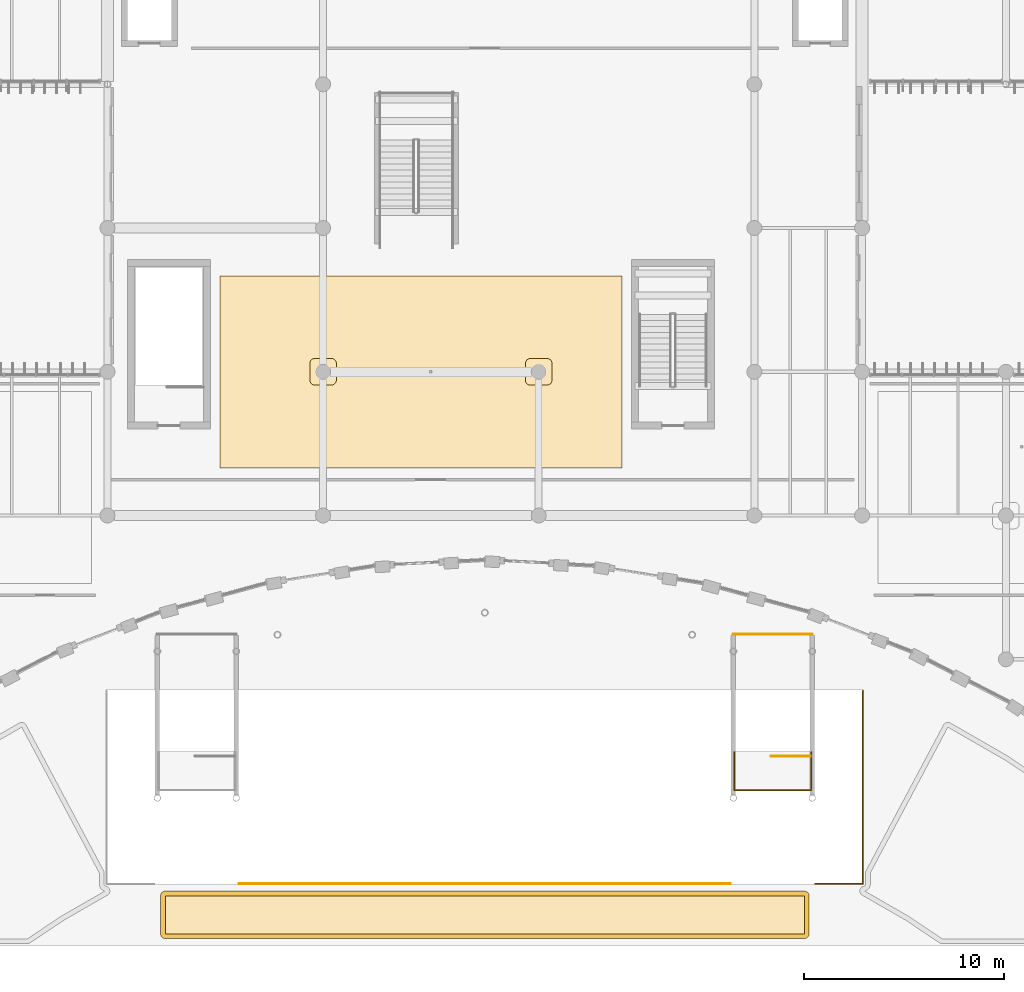
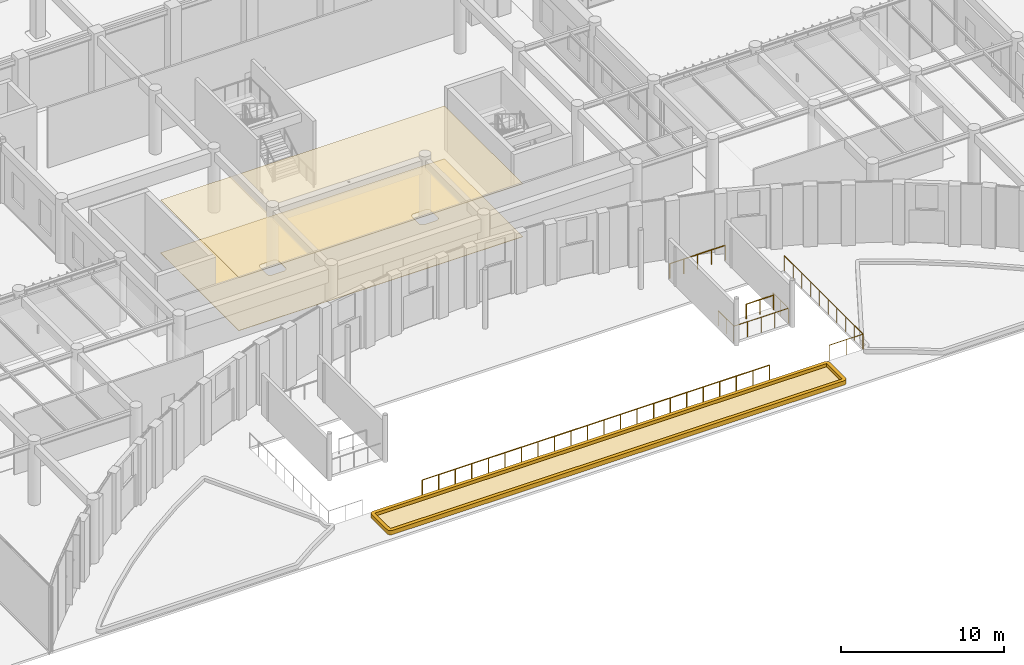
# One storey, part 109 of 122: 5 railings, 4 coverings.
"""IFC4 building model written with IfcOpenShell, lengths in metres."""

from ifc_helpers import new_model, si_unit, direction, frame, origin, origin_2d, place, context, subcontext, project, spatial, polyline, circle, outline, extrude, material, layer, layer_set, material_profile, profile_set, type_object, element, save


model = new_model("IFC4")

# Units and contexts
model_context = context("Model", 3, precision=1e-05, world=origin(), true_north=direction((0.0, 1.0)))
body_context = subcontext(model_context, "Body", "Model", "MODEL_VIEW")
ifc_project = project(units=[si_unit("LENGTHUNIT", "METRE"), si_unit("AREAUNIT", "SQUARE_METRE"), si_unit("VOLUMEUNIT", "CUBIC_METRE"), si_unit("PLANEANGLEUNIT", "RADIAN"), si_unit("MASSUNIT", "GRAM", prefix="KILO")], contexts=[model_context])

# Site, building, storey
site_placement = place(None, origin())
site = spatial("IfcSite", under=ifc_project, at=site_placement, CompositionType="ELEMENT")
building_placement = place(site_placement, origin())
building = spatial("IfcBuilding", under=site, at=building_placement, Name="Tazoul Stagehouse", CompositionType="ELEMENT")
storey_placement = place(building_placement, origin())
storey = spatial("IfcBuildingStorey", under=building, at=storey_placement, Name="L00", CompositionType="ELEMENT", Elevation=0.0)

# Railings
ifc_material_1 = material(Name="Brushed Stainless Steel 316L", Category="steel")
ifc_material_profile_1 = material_profile(ifc_material_1, circle(Radius=0.02392578125, at=origin_2d()), Name="SS RAIL D48")
ifc_profile_set_1 = profile_set([ifc_material_profile_1], Name="Brushed Stainless Steel 316L")
railing_type_1 = type_object("IfcRailingType", Name="Architectural Guardrail H1120", PredefinedType="GUARDRAIL", material=ifc_profile_set_1)
railing_1_placement = place(storey_placement, frame((92.800048828125, 10.949951171875, 0.0)))
element("IfcRailing", 1, at=railing_1_placement, inside=storey, type_object=railing_type_1, Name="L00 ST-AMP-E top well guard 1", PredefinedType="GUARDRAIL", context=body_context, shape_type="SweptSolid", body=[
    extrude(circle(Radius=0.02392578125, at=origin_2d()), frame((0.0, 0.0, 1.09619140625), z_axis=(-1.0, 0.0, 0.0), x_axis=(0.0, -1.0, 0.0)), (0.0, 0.0, 1.0), 1.949951171875),
    extrude(circle(Radius=0.02099609375, at=origin_2d()), origin(), (0.0, 0.0, 1.0), 1.072021484375),
    extrude(circle(Radius=0.02099609375, at=origin_2d()), frame((-0.97509765625, 0.0, 0.0)), (0.0, 0.0, 1.0), 1.072021484375),
    extrude(circle(Radius=0.02099609375, at=origin_2d()), frame((-1.949951171875, 0.0, 0.0)), (0.0, 0.0, 1.0), 1.072021484375),
])
railing_2_placement = place(storey_placement, frame((92.89990234375, 17.050048828125, 0.0)))
element("IfcRailing", 2, at=railing_2_placement, inside=storey, type_object=railing_type_1, Name="L00 ST-AMP-E top well guard 2", PredefinedType="GUARDRAIL", context=body_context, shape_type="SweptSolid", body=[
    extrude(circle(Radius=0.02392578125, at=origin_2d()), frame((0.0, 0.0, 1.09619140625), z_axis=(-1.0, 0.0, 0.0), x_axis=(0.0, -1.0, 0.0)), (0.0, 0.0, 1.0), 3.949951171875),
    extrude(circle(Radius=0.02099609375, at=origin_2d()), origin(), (0.0, 0.0, 1.0), 1.072021484375),
    extrude(circle(Radius=0.02099609375, at=origin_2d()), frame((-0.987548828125, 0.0, 0.0)), (0.0, 0.0, 1.0), 1.072021484375),
    extrude(circle(Radius=0.02099609375, at=origin_2d()), frame((-1.97509765625, 0.0, 0.0)), (0.0, 0.0, 1.0), 1.072021484375),
    extrude(circle(Radius=0.02099609375, at=origin_2d()), frame((-2.96240234375, 0.0, 0.0)), (0.0, 0.0, 1.0), 1.072021484375),
    extrude(circle(Radius=0.02099609375, at=origin_2d()), frame((-3.949951171875, 0.0, 0.0)), (0.0, 0.0, 1.0), 1.072021484375),
])

# Coverings
ifc_material_2 = material(Name="Gypsum Acoustic Partition", Category="gypsum")
ifc_layer_1 = layer(ifc_material_2, 0.034912109375, Name="Gypsum Acoustic Partition")
ifc_layer_set_1 = layer_set([ifc_layer_1], Name="Gypsum Acoustic Partition")
covering_type_1 = type_object("IfcCoveringType", Name="Gypsum Acoustic Foyer Suspended Ceiling 35", PredefinedType="CEILING", material=ifc_layer_set_1)
covering_1_placement = place(storey_placement, frame((0.0, 0.0, 3.955078125)))
element("IfcCovering", 3, at=covering_1_placement, inside=storey, type_object=covering_type_1, Name="L00 L00 Crescent Foyer Circulation Suspended Ceiling", PredefinedType="CEILING", context=body_context, shape_type="SweptSolid", body=[
    extrude(outline(polyline([(83.360107421875, 35.010009765625), (83.360107421875, 25.389892578125), (63.239990234375, 25.389892578125), (63.239990234375, 35.010009765625), (83.360107421875, 35.010009765625)])), origin(), (0.0, 0.0, 1.0), 0.034912109375),
])
ifc_material_3 = material(Name="Honed Rabat Calcarenite Stone", Category="masonry")
ifc_layer_2 = layer(ifc_material_3, 0.320068359375, Name="Honed Rabat Calcarenite Stone")
ifc_layer_set_2 = layer_set([ifc_layer_2], Name="Honed Rabat Calcarenite Stone")
covering_type_2 = type_object("IfcCoveringType", Name="Honed Limestone Lawn Planter Curb 320", PredefinedType="MOLDING", material=ifc_layer_set_2)
covering_2_placement = place(storey_placement, origin())
element("IfcCovering", 4, at=covering_2_placement, inside=storey, type_object=covering_type_2, Name="L00 Crescent South Lawn Stone Curb", PredefinedType="MOLDING", context=body_context, shape_type="SweptSolid", body=[
    extrude(outline(polyline([(60.5, 1.81005859375), (60.4765625, 1.811279296875), (60.453125, 1.814697265625), (60.430419921875, 1.8203125), (60.408203125, 1.828369140625), (60.386962890625, 1.83837890625), (60.36669921875, 1.850341796875), (60.34765625, 1.864501953125), (60.330322265625, 1.88037109375), (60.314453125, 1.897705078125), (60.30029296875, 1.916748046875), (60.288330078125, 1.93701171875), (60.2783203125, 1.958251953125), (60.270263671875, 1.980224609375), (60.2646484375, 2.003173828125), (60.26123046875, 2.026611328125), (60.260009765625, 2.050048828125), (60.260009765625, 3.949951171875), (60.26123046875, 3.973388671875), (60.2646484375, 3.996826171875), (60.270263671875, 4.019775390625), (60.2783203125, 4.041748046875), (60.288330078125, 4.06298828125), (60.30029296875, 4.083251953125), (60.314453125, 4.102294921875), (60.330322265625, 4.11962890625), (60.34765625, 4.135498046875), (60.36669921875, 4.149658203125), (60.386962890625, 4.16162109375), (60.408203125, 4.171630859375), (60.430419921875, 4.1796875), (60.453125, 4.185302734375), (60.4765625, 4.188720703125), (60.5, 4.18994140625), (92.5, 4.18994140625), (92.5234375, 4.188720703125), (92.546875, 4.185302734375), (92.569580078125, 4.1796875), (92.591796875, 4.171630859375), (92.613037109375, 4.16162109375), (92.63330078125, 4.149658203125), (92.65234375, 4.135498046875), (92.669677734375, 4.11962890625), (92.685546875, 4.102294921875), (92.69970703125, 4.083251953125), (92.711669921875, 4.06298828125), (92.7216796875, 4.041748046875), (92.729736328125, 4.019775390625), (92.7353515625, 3.996826171875), (92.73876953125, 3.973388671875), (92.739990234375, 3.949951171875), (92.739990234375, 2.050048828125), (92.73876953125, 2.026611328125), (92.7353515625, 2.003173828125), (92.729736328125, 1.980224609375), (92.7216796875, 1.958251953125), (92.711669921875, 1.93701171875), (92.69970703125, 1.916748046875), (92.685546875, 1.897705078125), (92.669677734375, 1.88037109375), (92.65234375, 1.864501953125), (92.63330078125, 1.850341796875), (92.613037109375, 1.83837890625), (92.591796875, 1.828369140625), (92.569580078125, 1.8203125), (92.546875, 1.814697265625), (92.5234375, 1.811279296875), (92.5, 1.81005859375), (60.5, 1.81005859375)]), holes=[polyline([(92.5, 3.949951171875), (60.5, 3.949951171875), (60.5, 2.050048828125), (92.5, 2.050048828125), (92.5, 3.949951171875)])]), origin(), (0.0, 0.0, 1.0), 0.320068359375),
])
ifc_layer_3 = layer(ifc_material_3, 0.030029296875, Name="Honed Rabat Calcarenite Stone")
ifc_layer_set_3 = layer_set([ifc_layer_3], Name="Honed Rabat Calcarenite Stone")
covering_type_3 = type_object("IfcCoveringType", Name="Honed Rabat Limestone Foyer Flooring 30", PredefinedType="FLOORING", material=ifc_layer_set_3)
covering_3_placement = place(storey_placement, origin())
element("IfcCovering", 5, at=covering_3_placement, inside=storey, type_object=covering_type_3, Name="L00 L00 Crescent Foyer Circulation Flooring", PredefinedType="FLOORING", context=body_context, shape_type="SweptSolid", body=[
    extrude(outline(polyline([(83.360107421875, 35.010009765625), (83.360107421875, 25.389892578125), (63.239990234375, 25.389892578125), (63.239990234375, 35.010009765625), (83.360107421875, 35.010009765625)]), holes=[polyline([(79.86376953125, 30.639404296875), (79.860107421875, 30.663818359375), (79.854248046875, 30.6875), (79.845947265625, 30.710693359375), (79.83544921875, 30.73291015625), (79.822998046875, 30.75390625), (79.808349609375, 30.773681640625), (79.791748046875, 30.791748046875), (79.773681640625, 30.808349609375), (79.75390625, 30.822998046875), (79.73291015625, 30.83544921875), (79.710693359375, 30.845947265625), (79.6875, 30.854248046875), (79.663818359375, 30.860107421875), (79.639404296875, 30.86376953125), (79.614990234375, 30.864990234375), (78.784912109375, 30.864990234375), (78.760498046875, 30.86376953125), (78.736083984375, 30.860107421875), (78.71240234375, 30.854248046875), (78.689208984375, 30.845947265625), (78.667236328125, 30.83544921875), (78.64599609375, 30.822998046875), (78.62646484375, 30.808349609375), (78.608154296875, 30.791748046875), (78.591796875, 30.773681640625), (78.5771484375, 30.75390625), (78.564453125, 30.73291015625), (78.553955078125, 30.710693359375), (78.5458984375, 30.6875), (78.539794921875, 30.663818359375), (78.5361328125, 30.639404296875), (78.534912109375, 30.614990234375), (78.534912109375, 29.784912109375), (78.5361328125, 29.760498046875), (78.539794921875, 29.736083984375), (78.5458984375, 29.71240234375), (78.553955078125, 29.689208984375), (78.564453125, 29.667236328125), (78.5771484375, 29.64599609375), (78.591796875, 29.62646484375), (78.608154296875, 29.608154296875), (78.62646484375, 29.591796875), (78.64599609375, 29.5771484375), (78.667236328125, 29.564453125), (78.689208984375, 29.553955078125), (78.71240234375, 29.5458984375), (78.736083984375, 29.539794921875), (78.760498046875, 29.5361328125), (78.784912109375, 29.534912109375), (79.614990234375, 29.534912109375), (79.639404296875, 29.5361328125), (79.663818359375, 29.539794921875), (79.6875, 29.5458984375), (79.710693359375, 29.553955078125), (79.73291015625, 29.564453125), (79.75390625, 29.5771484375), (79.773681640625, 29.591796875), (79.791748046875, 29.608154296875), (79.808349609375, 29.62646484375), (79.822998046875, 29.64599609375), (79.83544921875, 29.667236328125), (79.845947265625, 29.689208984375), (79.854248046875, 29.71240234375), (79.860107421875, 29.736083984375), (79.86376953125, 29.760498046875), (79.864990234375, 29.784912109375), (79.864990234375, 30.614990234375), (79.86376953125, 30.639404296875)]), polyline([(69.063720703125, 30.639404296875), (69.060302734375, 30.663818359375), (69.05419921875, 30.6875), (69.0458984375, 30.710693359375), (69.035400390625, 30.73291015625), (69.02294921875, 30.75390625), (69.00830078125, 30.773681640625), (68.99169921875, 30.791748046875), (68.9736328125, 30.808349609375), (68.953857421875, 30.822998046875), (68.932861328125, 30.83544921875), (68.91064453125, 30.845947265625), (68.8876953125, 30.854248046875), (68.86376953125, 30.860107421875), (68.839599609375, 30.86376953125), (68.81494140625, 30.864990234375), (67.985107421875, 30.864990234375), (67.96044921875, 30.86376953125), (67.936279296875, 30.860107421875), (67.912353515625, 30.854248046875), (67.889404296875, 30.845947265625), (67.8671875, 30.83544921875), (67.84619140625, 30.822998046875), (67.826416015625, 30.808349609375), (67.80810546875, 30.791748046875), (67.791748046875, 30.773681640625), (67.777099609375, 30.75390625), (67.764404296875, 30.73291015625), (67.75390625, 30.710693359375), (67.745849609375, 30.6875), (67.73974609375, 30.663818359375), (67.736083984375, 30.639404296875), (67.735107421875, 30.614990234375), (67.735107421875, 29.784912109375), (67.736083984375, 29.760498046875), (67.73974609375, 29.736083984375), (67.745849609375, 29.71240234375), (67.75390625, 29.689208984375), (67.764404296875, 29.667236328125), (67.777099609375, 29.64599609375), (67.791748046875, 29.62646484375), (67.80810546875, 29.608154296875), (67.826416015625, 29.591796875), (67.84619140625, 29.5771484375), (67.8671875, 29.564453125), (67.889404296875, 29.553955078125), (67.912353515625, 29.5458984375), (67.936279296875, 29.539794921875), (67.96044921875, 29.5361328125), (67.985107421875, 29.534912109375), (68.81494140625, 29.534912109375), (68.839599609375, 29.5361328125), (68.86376953125, 29.539794921875), (68.8876953125, 29.5458984375), (68.91064453125, 29.553955078125), (68.932861328125, 29.564453125), (68.953857421875, 29.5771484375), (68.9736328125, 29.591796875), (68.99169921875, 29.608154296875), (69.00830078125, 29.62646484375), (69.02294921875, 29.64599609375), (69.035400390625, 29.667236328125), (69.0458984375, 29.689208984375), (69.05419921875, 29.71240234375), (69.060302734375, 29.736083984375), (69.063720703125, 29.760498046875), (69.06494140625, 29.784912109375), (69.06494140625, 30.614990234375), (69.063720703125, 30.639404296875)])]), origin(), (0.0, 0.0, 1.0), 0.030029296875),
])
ifc_material_4 = material(Name="Vegetated Acoustic Extensive Green-Roof Substrate", Category="earth")
ifc_layer_4 = layer(ifc_material_4, 0.080078125, Name="Vegetated Acoustic Extensive Green-Roof Substrate")
ifc_layer_set_4 = layer_set([ifc_layer_4], Name="Vegetated Acoustic Extensive Green-Roof Substrate")
covering_type_4 = type_object("IfcCoveringType", Name="Irrigated Fescue Forecourt Lawn Turf 80", PredefinedType="FLOORING", material=ifc_layer_set_4)
covering_4_placement = place(storey_placement, origin())
element("IfcCovering", 6, at=covering_4_placement, inside=storey, type_object=covering_type_4, Name="L00 Crescent South Forecourt Lawn Parterre", PredefinedType="FLOORING", context=body_context, shape_type="SweptSolid", body=[
    extrude(outline(polyline([(92.5, 2.050048828125), (92.5, 3.949951171875), (60.5, 3.949951171875), (60.5, 2.050048828125), (92.5, 2.050048828125)])), origin(), (0.0, 0.0, 1.0), 0.080078125),
])

# Railings
ifc_material_profile_2 = material_profile(ifc_material_1, circle(Radius=0.027099609375, at=origin_2d()), Name="SS RAIL D54")
ifc_profile_set_2 = profile_set([ifc_material_profile_2], Name="Brushed Stainless Steel 316L")
railing_type_2 = type_object("IfcRailingType", Name="Terrace Acoustic Glass-and-Steel Guard H1150", PredefinedType="GUARDRAIL", material=ifc_profile_set_2)
railing_3_placement = place(storey_placement, frame((88.989990234375, 11.14990234375, 0.0)))
element("IfcRailing", 7, at=railing_3_placement, inside=storey, type_object=railing_type_2, Name="Amphitheatre Arrival Guard (AMP-E)", PredefinedType="GUARDRAIL", context=body_context, shape_type="SweptSolid", body=[
    extrude(circle(Radius=0.02392578125, at=origin_2d()), frame((0.0, 0.0, 1.1259765625), z_axis=(0.0, -1.0, 0.0), x_axis=(1.0, 0.0, 0.0)), (0.0, 0.0, 1.0), 1.89990234375),
    extrude(circle(Radius=0.02392578125, at=origin_2d()), frame((0.0, -1.89990234375, 1.1259765625), z_axis=(1.0, 0.0, 0.0), x_axis=(0.0, 1.0, 0.0)), (0.0, 0.0, 1.0), 3.8701171875),
    extrude(circle(Radius=0.02392578125, at=origin_2d()), frame((3.8701171875, -1.89990234375, 1.1259765625), z_axis=(0.0, 1.0, 0.0), x_axis=(-1.0, 0.0, 0.0)), (0.0, 0.0, 1.0), 1.89990234375),
    extrude(circle(Radius=0.02099609375, at=origin_2d()), origin(), (0.0, 0.0, 1.0), 1.101806640625),
    extrude(circle(Radius=0.02099609375, at=origin_2d()), frame((0.0, -0.949951171875, 0.0)), (0.0, 0.0, 1.0), 1.101806640625),
    extrude(circle(Radius=0.02099609375, at=origin_2d()), frame((0.0, -1.89990234375, 0.0)), (0.0, 0.0, 1.0), 1.101806640625),
    extrude(circle(Radius=0.02099609375, at=origin_2d()), frame((0.967529296875, -1.89990234375, 0.0)), (0.0, 0.0, 1.0), 1.101806640625),
    extrude(circle(Radius=0.02099609375, at=origin_2d()), frame((1.93505859375, -1.89990234375, 0.0)), (0.0, 0.0, 1.0), 1.101806640625),
    extrude(circle(Radius=0.02099609375, at=origin_2d()), frame((2.902587890625, -1.89990234375, 0.0)), (0.0, 0.0, 1.0), 1.101806640625),
    extrude(circle(Radius=0.02099609375, at=origin_2d()), frame((3.8701171875, -1.89990234375, 0.0)), (0.0, 0.0, 1.0), 1.101806640625),
    extrude(circle(Radius=0.02099609375, at=origin_2d()), frame((3.8701171875, -0.949951171875, 0.0)), (0.0, 0.0, 1.0), 1.101806640625),
    extrude(circle(Radius=0.02099609375, at=origin_2d()), frame((3.8701171875, 0.0, 0.0)), (0.0, 0.0, 1.0), 1.101806640625),
])
railing_4_placement = place(storey_placement, frame((64.199951171875, 4.56005859375, 0.0)))
element("IfcRailing", 8, at=railing_4_placement, inside=storey, type_object=railing_type_2, Name="L00 Sunken Court Perimeter Guard GRD-02 (M)", PredefinedType="GUARDRAIL", context=body_context, shape_type="SweptSolid", body=[
    extrude(circle(Radius=0.02392578125, at=origin_2d()), frame((0.0, 0.0, 1.1259765625), z_axis=(1.0, 0.0, 0.0), x_axis=(0.0, 1.0, 0.0)), (0.0, 0.0, 1.0), 24.60009765625),
    extrude(circle(Radius=0.02099609375, at=origin_2d()), origin(), (0.0, 0.0, 1.0), 1.101806640625),
    extrude(circle(Radius=0.02099609375, at=origin_2d()), frame((1.17138671875, 0.0, 0.0)), (0.0, 0.0, 1.0), 1.101806640625),
    extrude(circle(Radius=0.02099609375, at=origin_2d()), frame((2.3427734375, 0.0, 0.0)), (0.0, 0.0, 1.0), 1.101806640625),
    extrude(circle(Radius=0.02099609375, at=origin_2d()), frame((3.514404296875, 0.0, 0.0)), (0.0, 0.0, 1.0), 1.101806640625),
    extrude(circle(Radius=0.02099609375, at=origin_2d()), frame((4.685791015625, 0.0, 0.0)), (0.0, 0.0, 1.0), 1.101806640625),
    extrude(circle(Radius=0.02099609375, at=origin_2d()), frame((5.857177734375, 0.0, 0.0)), (0.0, 0.0, 1.0), 1.101806640625),
    extrude(circle(Radius=0.02099609375, at=origin_2d()), frame((7.028564453125, 0.0, 0.0)), (0.0, 0.0, 1.0), 1.101806640625),
    extrude(circle(Radius=0.02099609375, at=origin_2d()), frame((8.199951171875, 0.0, 0.0)), (0.0, 0.0, 1.0), 1.101806640625),
    extrude(circle(Radius=0.02099609375, at=origin_2d()), frame((9.37158203125, 0.0, 0.0)), (0.0, 0.0, 1.0), 1.101806640625),
    extrude(circle(Radius=0.02099609375, at=origin_2d()), frame((10.54296875, 0.0, 0.0)), (0.0, 0.0, 1.0), 1.101806640625),
    extrude(circle(Radius=0.02099609375, at=origin_2d()), frame((11.71435546875, 0.0, 0.0)), (0.0, 0.0, 1.0), 1.101806640625),
    extrude(circle(Radius=0.02099609375, at=origin_2d()), frame((12.8857421875, 0.0, 0.0)), (0.0, 0.0, 1.0), 1.101806640625),
    extrude(circle(Radius=0.02099609375, at=origin_2d()), frame((14.05712890625, 0.0, 0.0)), (0.0, 0.0, 1.0), 1.101806640625),
    extrude(circle(Radius=0.02099609375, at=origin_2d()), frame((15.228515625, 0.0, 0.0)), (0.0, 0.0, 1.0), 1.101806640625),
    extrude(circle(Radius=0.02099609375, at=origin_2d()), frame((16.400146484375, 0.0, 0.0)), (0.0, 0.0, 1.0), 1.101806640625),
    extrude(circle(Radius=0.02099609375, at=origin_2d()), frame((17.571533203125, 0.0, 0.0)), (0.0, 0.0, 1.0), 1.101806640625),
    extrude(circle(Radius=0.02099609375, at=origin_2d()), frame((18.742919921875, 0.0, 0.0)), (0.0, 0.0, 1.0), 1.101806640625),
    extrude(circle(Radius=0.02099609375, at=origin_2d()), frame((19.914306640625, 0.0, 0.0)), (0.0, 0.0, 1.0), 1.101806640625),
    extrude(circle(Radius=0.02099609375, at=origin_2d()), frame((21.085693359375, 0.0, 0.0)), (0.0, 0.0, 1.0), 1.101806640625),
    extrude(circle(Radius=0.02099609375, at=origin_2d()), frame((22.25732421875, 0.0, 0.0)), (0.0, 0.0, 1.0), 1.101806640625),
    extrude(circle(Radius=0.02099609375, at=origin_2d()), frame((23.4287109375, 0.0, 0.0)), (0.0, 0.0, 1.0), 1.101806640625),
    extrude(circle(Radius=0.02099609375, at=origin_2d()), frame((24.60009765625, 0.0, 0.0)), (0.0, 0.0, 1.0), 1.101806640625),
])
railing_5_placement = place(storey_placement, frame((93.050048828125, 4.56005859375, 0.0)))
element("IfcRailing", 9, at=railing_5_placement, inside=storey, type_object=railing_type_2, Name="L00 Sunken Court Perimeter Guard GRD-02 (E)", PredefinedType="GUARDRAIL", context=body_context, shape_type="SweptSolid", body=[
    extrude(circle(Radius=0.02392578125, at=origin_2d()), frame((0.0, 0.0, 1.1259765625), z_axis=(1.0, 0.0, 0.0), x_axis=(0.0, 1.0, 0.0)), (0.0, 0.0, 1.0), 2.389892578125),
    extrude(circle(Radius=0.02392578125, at=origin_2d()), frame((2.389892578125, 0.0, 1.1259765625), z_axis=(0.0, 1.0, 0.0), x_axis=(-1.0, 0.0, 0.0)), (0.0, 0.0, 1.0), 9.659912109375),
    extrude(circle(Radius=0.02099609375, at=origin_2d()), origin(), (0.0, 0.0, 1.0), 1.101806640625),
    extrude(circle(Radius=0.02099609375, at=origin_2d()), frame((1.19482421875, 0.0, 0.0)), (0.0, 0.0, 1.0), 1.101806640625),
    extrude(circle(Radius=0.02099609375, at=origin_2d()), frame((2.389892578125, 0.0, 0.0)), (0.0, 0.0, 1.0), 1.101806640625),
    extrude(circle(Radius=0.02099609375, at=origin_2d()), frame((2.389892578125, 1.0732421875, 0.0)), (0.0, 0.0, 1.0), 1.101806640625),
    extrude(circle(Radius=0.02099609375, at=origin_2d()), frame((2.389892578125, 2.146728515625, 0.0)), (0.0, 0.0, 1.0), 1.101806640625),
    extrude(circle(Radius=0.02099609375, at=origin_2d()), frame((2.389892578125, 3.219970703125, 0.0)), (0.0, 0.0, 1.0), 1.101806640625),
    extrude(circle(Radius=0.02099609375, at=origin_2d()), frame((2.389892578125, 4.293212890625, 0.0)), (0.0, 0.0, 1.0), 1.101806640625),
    extrude(circle(Radius=0.02099609375, at=origin_2d()), frame((2.389892578125, 5.36669921875, 0.0)), (0.0, 0.0, 1.0), 1.101806640625),
    extrude(circle(Radius=0.02099609375, at=origin_2d()), frame((2.389892578125, 6.43994140625, 0.0)), (0.0, 0.0, 1.0), 1.101806640625),
    extrude(circle(Radius=0.02099609375, at=origin_2d()), frame((2.389892578125, 7.51318359375, 0.0)), (0.0, 0.0, 1.0), 1.101806640625),
    extrude(circle(Radius=0.02099609375, at=origin_2d()), frame((2.389892578125, 8.586669921875, 0.0)), (0.0, 0.0, 1.0), 1.101806640625),
    extrude(circle(Radius=0.02099609375, at=origin_2d()), frame((2.389892578125, 9.659912109375, 0.0)), (0.0, 0.0, 1.0), 1.101806640625),
])

save(model, "model.ifc")
